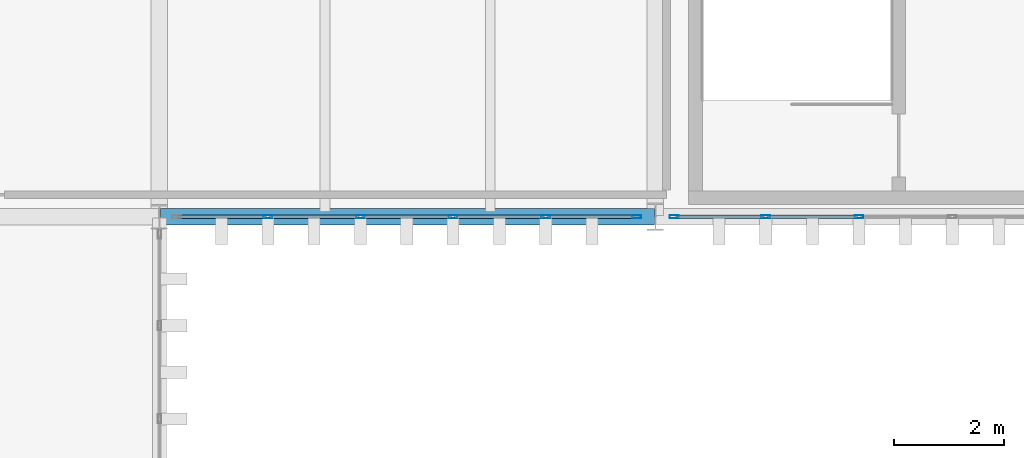
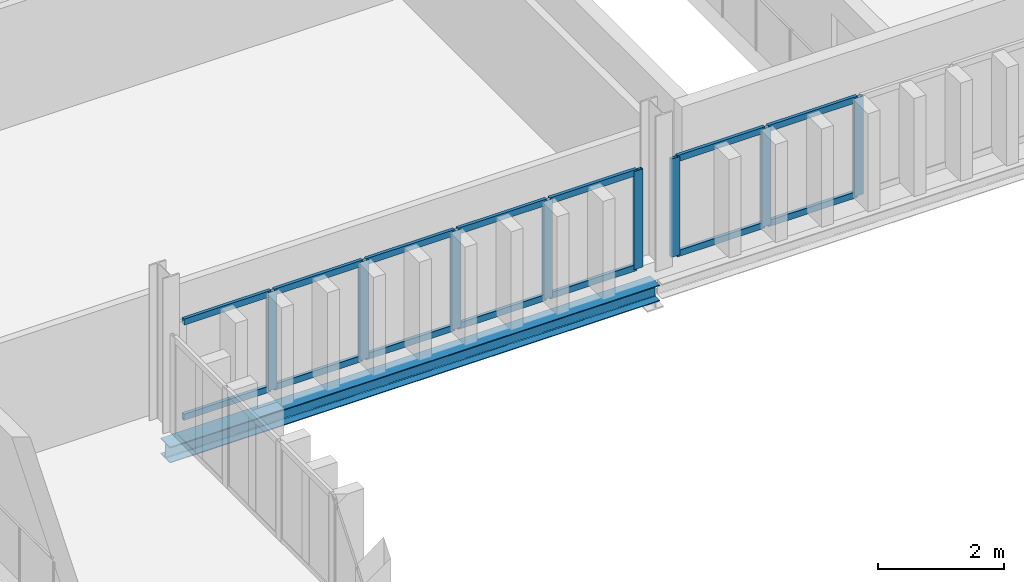
# One storey, part 28 of 58: 22 members, 1 beam, 2 elements without a shape of their own.
"""IFC4 building model written with IfcOpenShell, lengths in metres."""

from ifc_helpers import new_model, si_unit, direction, frame, origin, origin_2d, place, context, subcontext, project, spatial, hollow_rectangle, i_section, extrude, material, layer, layer_set, material_profile, profile_set, type_object, element, aggregate, save


model = new_model("IFC4")

# Units and contexts
model_context = context("Model", 3, precision=1e-05, world=origin(), true_north=direction((0.0, 1.0)))
body_context = subcontext(model_context, "Body", "Model", "MODEL_VIEW")
ifc_project = project(units=[si_unit("LENGTHUNIT", "METRE"), si_unit("AREAUNIT", "SQUARE_METRE"), si_unit("VOLUMEUNIT", "CUBIC_METRE"), si_unit("PLANEANGLEUNIT", "RADIAN"), si_unit("MASSUNIT", "GRAM", prefix="KILO")], contexts=[model_context])

# Site, building, storey
site_placement = place(None, origin())
site = spatial("IfcSite", under=ifc_project, at=site_placement, CompositionType="ELEMENT")
building_placement = place(site_placement, origin())
building = spatial("IfcBuilding", under=site, at=building_placement, Name="Barlavento Convention Centre", CompositionType="ELEMENT")
storey_placement = place(building_placement, frame((0.0, 0.0, 26.800048828125)))
storey = spatial("IfcBuildingStorey", under=building, at=storey_placement, Name="L05", CompositionType="ELEMENT", Elevation=26.800048828125)

# Curtain wall, members
ifc_material_1 = material(Name="Powder-coated aluminium and Low-E glass", Category="aluminium")
ifc_layer = layer(ifc_material_1, 0.18994140625)
ifc_layer_set = layer_set([ifc_layer], Name="ARC-CW-CONF-L05")
curtain_wall_type = type_object("IfcCurtainWallType", Name="ARC-CW-CONF-L05", PredefinedType="NOTDEFINED", material=ifc_layer_set)
curtain_wall_1_placement = place(storey_placement, origin())
curtain_wall_1 = element("IfcCurtainWall", 1, at=curtain_wall_1_placement, inside=storey, type_object=curtain_wall_type, Name="L05 unitised curtain wall CW10", PredefinedType="NOTDEFINED")
ifc_material_2 = material(Name="Powder-coated aluminium", Category="aluminium")
ifc_material_profile_1 = material_profile(ifc_material_2, hollow_rectangle(XDim=0.06005859375, YDim=0.159912109375, WallThickness=0.00390625, at=origin_2d()), Name="AL-MULL 60x160x4")
ifc_profile_set_1 = profile_set([ifc_material_profile_1], Name="Powder-coated aluminium")
member_type_1 = type_object("IfcMemberType", Name="ARC-CWM-60X160", PredefinedType="MULLION", material=ifc_profile_set_1)
member_1_placement = place(storey_placement, frame((136.966064453125, 90.0, 0.0), z_axis=(0.0, 0.0, 1.0), x_axis=(0.0, 1.0, 0.0)))
member_1 = element("IfcMember", 2, at=member_1_placement, type_object=member_type_1, Name="CW10 mullion 2", PredefinedType="MULLION", context=body_context, shape_type="SweptSolid", body=[
    extrude(hollow_rectangle(XDim=0.06005859375, YDim=0.159912109375, WallThickness=0.00390625, at=origin_2d()), origin(), (0.0, 0.0, 1.0), 1.89990234375),
])
member_2_placement = place(storey_placement, frame((138.64697265625, 90.0, 0.0), z_axis=(0.0, 0.0, 1.0), x_axis=(0.0, 1.0, 0.0)))
member_2 = element("IfcMember", 3, at=member_2_placement, type_object=member_type_1, Name="CW10 mullion 3", PredefinedType="MULLION", context=body_context, shape_type="SweptSolid", body=[
    extrude(hollow_rectangle(XDim=0.06005859375, YDim=0.159912109375, WallThickness=0.00390625, at=origin_2d()), origin(), (0.0, 0.0, 1.0), 1.89990234375),
])
member_3_placement = place(storey_placement, frame((140.327880859375, 90.0, 0.0), z_axis=(0.0, 0.0, 1.0), x_axis=(0.0, 1.0, 0.0)))
member_3 = element("IfcMember", 4, at=member_3_placement, type_object=member_type_1, Name="CW10 mullion 4", PredefinedType="MULLION", context=body_context, shape_type="SweptSolid", body=[
    extrude(hollow_rectangle(XDim=0.06005859375, YDim=0.159912109375, WallThickness=0.00390625, at=origin_2d()), origin(), (0.0, 0.0, 1.0), 1.89990234375),
])
member_4_placement = place(storey_placement, frame((142.009033203125, 90.0, 0.0), z_axis=(0.0, 0.0, 1.0), x_axis=(0.0, 1.0, 0.0)))
member_4 = element("IfcMember", 5, at=member_4_placement, type_object=member_type_1, Name="CW10 mullion 5", PredefinedType="MULLION", context=body_context, shape_type="SweptSolid", body=[
    extrude(hollow_rectangle(XDim=0.06005859375, YDim=0.159912109375, WallThickness=0.00390625, at=origin_2d()), origin(), (0.0, 0.0, 1.0), 1.89990234375),
])
member_5_placement = place(storey_placement, frame((143.659912109375, 90.0, 0.0), z_axis=(0.0, 0.0, 1.0), x_axis=(0.0, 1.0, 0.0)))
member_5 = element("IfcMember", 6, at=member_5_placement, type_object=member_type_1, Name="CW10 mullion 6", PredefinedType="MULLION", context=body_context, shape_type="SweptSolid", body=[
    extrude(hollow_rectangle(XDim=0.06005859375, YDim=0.159912109375, WallThickness=0.00390625, at=origin_2d()), origin(), (0.0, 0.0, 1.0), 1.89990234375),
])

curtain_wall_2_placement = place(storey_placement, origin())
curtain_wall_2 = element("IfcCurtainWall", 7, at=curtain_wall_2_placement, inside=storey, type_object=curtain_wall_type, Name="L05 unitised curtain wall CW10", PredefinedType="NOTDEFINED")
member_6_placement = place(storey_placement, frame((144.340087890625, 90.0, 0.0), z_axis=(0.0, 0.0, 1.0), x_axis=(0.0, 1.0, 0.0)))
member_6 = element("IfcMember", 8, at=member_6_placement, type_object=member_type_1, Name="CW10 mullion 1", PredefinedType="MULLION", context=body_context, shape_type="SweptSolid", body=[
    extrude(hollow_rectangle(XDim=0.06005859375, YDim=0.159912109375, WallThickness=0.00390625, at=origin_2d()), origin(), (0.0, 0.0, 1.0), 1.89990234375),
])
member_7_placement = place(storey_placement, frame((146.001953125, 90.0, 0.0), z_axis=(0.0, 0.0, 1.0), x_axis=(0.0, 1.0, 0.0)))
member_7 = element("IfcMember", 9, at=member_7_placement, type_object=member_type_1, Name="CW10 mullion 2", PredefinedType="MULLION", context=body_context, shape_type="SweptSolid", body=[
    extrude(hollow_rectangle(XDim=0.06005859375, YDim=0.159912109375, WallThickness=0.00390625, at=origin_2d()), origin(), (0.0, 0.0, 1.0), 1.89990234375),
])
member_8_placement = place(storey_placement, frame((147.694091796875, 90.0, 0.0), z_axis=(0.0, 0.0, 1.0), x_axis=(0.0, 1.0, 0.0)))
member_8 = element("IfcMember", 10, at=member_8_placement, type_object=member_type_1, Name="CW10 mullion 3", PredefinedType="MULLION", context=body_context, shape_type="SweptSolid", body=[
    extrude(hollow_rectangle(XDim=0.06005859375, YDim=0.159912109375, WallThickness=0.00390625, at=origin_2d()), origin(), (0.0, 0.0, 1.0), 1.89990234375),
])

# Member
ifc_material_profile_2 = material_profile(ifc_material_2, hollow_rectangle(XDim=0.06005859375, YDim=0.1201171875, WallThickness=0.00390625, at=origin_2d()), Name="AL-TRAN 60x120x4")
ifc_profile_set_2 = profile_set([ifc_material_profile_2], Name="Powder-coated aluminium")
member_type_2 = type_object("IfcMemberType", Name="ARC-CWT-60X120", PredefinedType="USERDEFINED", material=ifc_profile_set_2)
member_9_placement = place(storey_placement, frame((135.344970703125, 90.0, 0.030029296875), z_axis=(1.0, 0.0, 0.0), x_axis=(0.0, 1.0, 0.0)))
member_9 = element("IfcMember", 11, at=member_9_placement, type_object=member_type_2, Name="CW10 transom 1.1", ObjectType="TRANSOM", PredefinedType="USERDEFINED", context=body_context, shape_type="SweptSolid", body=[
    extrude(hollow_rectangle(XDim=0.06005859375, YDim=0.1201171875, WallThickness=0.00390625, at=origin_2d()), origin(), (0.0, 0.0, 1.0), 1.591064453125),
])

member_10_placement = place(storey_placement, frame((135.344970703125, 90.0, 1.869873046875), z_axis=(1.0, 0.0, 0.0), x_axis=(0.0, 1.0, 0.0)))
member_10 = element("IfcMember", 12, at=member_10_placement, type_object=member_type_2, Name="CW10 transom 1.2", ObjectType="TRANSOM", PredefinedType="USERDEFINED", context=body_context, shape_type="SweptSolid", body=[
    extrude(hollow_rectangle(XDim=0.06005859375, YDim=0.1201171875, WallThickness=0.00390625, at=origin_2d()), origin(), (0.0, 0.0, 1.0), 1.591064453125),
])

member_11_placement = place(storey_placement, frame((136.99609375, 90.0, 0.030029296875), z_axis=(1.0, 0.0, 0.0), x_axis=(0.0, 1.0, 0.0)))
member_11 = element("IfcMember", 13, at=member_11_placement, type_object=member_type_2, Name="CW10 transom 2.1", ObjectType="TRANSOM", PredefinedType="USERDEFINED", context=body_context, shape_type="SweptSolid", body=[
    extrude(hollow_rectangle(XDim=0.06005859375, YDim=0.1201171875, WallThickness=0.00390625, at=origin_2d()), origin(), (0.0, 0.0, 1.0), 1.620849609375),
])

member_12_placement = place(storey_placement, frame((136.99609375, 90.0, 1.869873046875), z_axis=(1.0, 0.0, 0.0), x_axis=(0.0, 1.0, 0.0)))
member_12 = element("IfcMember", 14, at=member_12_placement, type_object=member_type_2, Name="CW10 transom 2.2", ObjectType="TRANSOM", PredefinedType="USERDEFINED", context=body_context, shape_type="SweptSolid", body=[
    extrude(hollow_rectangle(XDim=0.06005859375, YDim=0.1201171875, WallThickness=0.00390625, at=origin_2d()), origin(), (0.0, 0.0, 1.0), 1.620849609375),
])

member_13_placement = place(storey_placement, frame((138.677001953125, 90.0, 0.030029296875), z_axis=(1.0, 0.0, 0.0), x_axis=(0.0, 1.0, 0.0)))
member_13 = element("IfcMember", 15, at=member_13_placement, type_object=member_type_2, Name="CW10 transom 3.1", ObjectType="TRANSOM", PredefinedType="USERDEFINED", context=body_context, shape_type="SweptSolid", body=[
    extrude(hollow_rectangle(XDim=0.06005859375, YDim=0.1201171875, WallThickness=0.00390625, at=origin_2d()), origin(), (0.0, 0.0, 1.0), 1.62109375),
])

member_14_placement = place(storey_placement, frame((138.677001953125, 90.0, 1.869873046875), z_axis=(1.0, 0.0, 0.0), x_axis=(0.0, 1.0, 0.0)))
member_14 = element("IfcMember", 16, at=member_14_placement, type_object=member_type_2, Name="CW10 transom 3.2", ObjectType="TRANSOM", PredefinedType="USERDEFINED", context=body_context, shape_type="SweptSolid", body=[
    extrude(hollow_rectangle(XDim=0.06005859375, YDim=0.1201171875, WallThickness=0.00390625, at=origin_2d()), origin(), (0.0, 0.0, 1.0), 1.62109375),
])

member_15_placement = place(storey_placement, frame((140.35791015625, 90.0, 0.030029296875), z_axis=(1.0, 0.0, 0.0), x_axis=(0.0, 1.0, 0.0)))
member_15 = element("IfcMember", 17, at=member_15_placement, type_object=member_type_2, Name="CW10 transom 4.1", ObjectType="TRANSOM", PredefinedType="USERDEFINED", context=body_context, shape_type="SweptSolid", body=[
    extrude(hollow_rectangle(XDim=0.06005859375, YDim=0.1201171875, WallThickness=0.00390625, at=origin_2d()), origin(), (0.0, 0.0, 1.0), 1.62109375),
])

member_16_placement = place(storey_placement, frame((140.35791015625, 90.0, 1.869873046875), z_axis=(1.0, 0.0, 0.0), x_axis=(0.0, 1.0, 0.0)))
member_16 = element("IfcMember", 18, at=member_16_placement, type_object=member_type_2, Name="CW10 transom 4.2", ObjectType="TRANSOM", PredefinedType="USERDEFINED", context=body_context, shape_type="SweptSolid", body=[
    extrude(hollow_rectangle(XDim=0.06005859375, YDim=0.1201171875, WallThickness=0.00390625, at=origin_2d()), origin(), (0.0, 0.0, 1.0), 1.62109375),
])

member_17_placement = place(storey_placement, frame((142.0390625, 90.0, 0.030029296875), z_axis=(1.0, 0.0, 0.0), x_axis=(0.0, 1.0, 0.0)))
member_17 = element("IfcMember", 19, at=member_17_placement, type_object=member_type_2, Name="CW10 transom 5.1", ObjectType="TRANSOM", PredefinedType="USERDEFINED", context=body_context, shape_type="SweptSolid", body=[
    extrude(hollow_rectangle(XDim=0.06005859375, YDim=0.1201171875, WallThickness=0.00390625, at=origin_2d()), origin(), (0.0, 0.0, 1.0), 1.5908203125),
])

member_18_placement = place(storey_placement, frame((142.0390625, 90.0, 1.869873046875), z_axis=(1.0, 0.0, 0.0), x_axis=(0.0, 1.0, 0.0)))
member_18 = element("IfcMember", 20, at=member_18_placement, type_object=member_type_2, Name="CW10 transom 5.2", ObjectType="TRANSOM", PredefinedType="USERDEFINED", context=body_context, shape_type="SweptSolid", body=[
    extrude(hollow_rectangle(XDim=0.06005859375, YDim=0.1201171875, WallThickness=0.00390625, at=origin_2d()), origin(), (0.0, 0.0, 1.0), 1.5908203125),
])

aggregate(curtain_wall_1, [member_1, member_2, member_3, member_4, member_5, member_9, member_10, member_11, member_12, member_13, member_14, member_15, member_16, member_17, member_18])

member_19_placement = place(storey_placement, frame((144.3701171875, 90.0, 0.030029296875), z_axis=(1.0, 0.0, 0.0), x_axis=(0.0, 1.0, 0.0)))
member_19 = element("IfcMember", 21, at=member_19_placement, type_object=member_type_2, Name="CW10 transom 1.1", ObjectType="TRANSOM", PredefinedType="USERDEFINED", context=body_context, shape_type="SweptSolid", body=[
    extrude(hollow_rectangle(XDim=0.06005859375, YDim=0.1201171875, WallThickness=0.00390625, at=origin_2d()), origin(), (0.0, 0.0, 1.0), 1.601806640625),
])

member_20_placement = place(storey_placement, frame((144.3701171875, 90.0, 1.869873046875), z_axis=(1.0, 0.0, 0.0), x_axis=(0.0, 1.0, 0.0)))
member_20 = element("IfcMember", 22, at=member_20_placement, type_object=member_type_2, Name="CW10 transom 1.2", ObjectType="TRANSOM", PredefinedType="USERDEFINED", context=body_context, shape_type="SweptSolid", body=[
    extrude(hollow_rectangle(XDim=0.06005859375, YDim=0.1201171875, WallThickness=0.00390625, at=origin_2d()), origin(), (0.0, 0.0, 1.0), 1.601806640625),
])

member_21_placement = place(storey_placement, frame((146.031982421875, 90.0, 0.030029296875), z_axis=(1.0, 0.0, 0.0), x_axis=(0.0, 1.0, 0.0)))
member_21 = element("IfcMember", 23, at=member_21_placement, type_object=member_type_2, Name="CW10 transom 2.1", ObjectType="TRANSOM", PredefinedType="USERDEFINED", context=body_context, shape_type="SweptSolid", body=[
    extrude(hollow_rectangle(XDim=0.06005859375, YDim=0.1201171875, WallThickness=0.00390625, at=origin_2d()), origin(), (0.0, 0.0, 1.0), 1.632080078125),
])

member_22_placement = place(storey_placement, frame((146.031982421875, 90.0, 1.869873046875), z_axis=(1.0, 0.0, 0.0), x_axis=(0.0, 1.0, 0.0)))
member_22 = element("IfcMember", 24, at=member_22_placement, type_object=member_type_2, Name="CW10 transom 2.2", ObjectType="TRANSOM", PredefinedType="USERDEFINED", context=body_context, shape_type="SweptSolid", body=[
    extrude(hollow_rectangle(XDim=0.06005859375, YDim=0.1201171875, WallThickness=0.00390625, at=origin_2d()), origin(), (0.0, 0.0, 1.0), 1.632080078125),
])

aggregate(curtain_wall_2, [member_6, member_7, member_8, member_19, member_20, member_21, member_22])

# Beam
ifc_material_3 = material(Name="Steel S355", Category="steel")
ifc_material_profile_3 = material_profile(ifc_material_3, i_section(OverallWidth=0.300048828125, OverallDepth=0.31005859375, WebThickness=0.009033203125, FlangeThickness=0.015380859375, FilletRadius=0.027099609375, at=origin_2d()), Name="HEA 320")
ifc_profile_set_3 = profile_set([ifc_material_profile_3], Name="Steel S355")
beam_type = type_object("IfcBeamType", Name="STR-BM-SPN-HEA320", PredefinedType="SPANDREL", material=ifc_profile_set_3)
beam_placement = place(storey_placement, frame((135.02001953125, 90.0, -0.51513671875), z_axis=(1.0, 0.0, 0.0), x_axis=(0.0, 1.0, 0.0)))
element("IfcBeam", 25, at=beam_placement, inside=storey, type_object=beam_type, Name="L05 primary girder SP01", PredefinedType="SPANDREL", context=body_context, shape_type="SweptSolid", body=[
    extrude(i_section(OverallWidth=0.300048828125, OverallDepth=0.31005859375, WebThickness=0.009033203125, FlangeThickness=0.015380859375, FilletRadius=0.027099609375, at=origin_2d()), origin(), (0.0, 0.0, 1.0), 8.9599609375),
])

save(model, "model.ifc")
